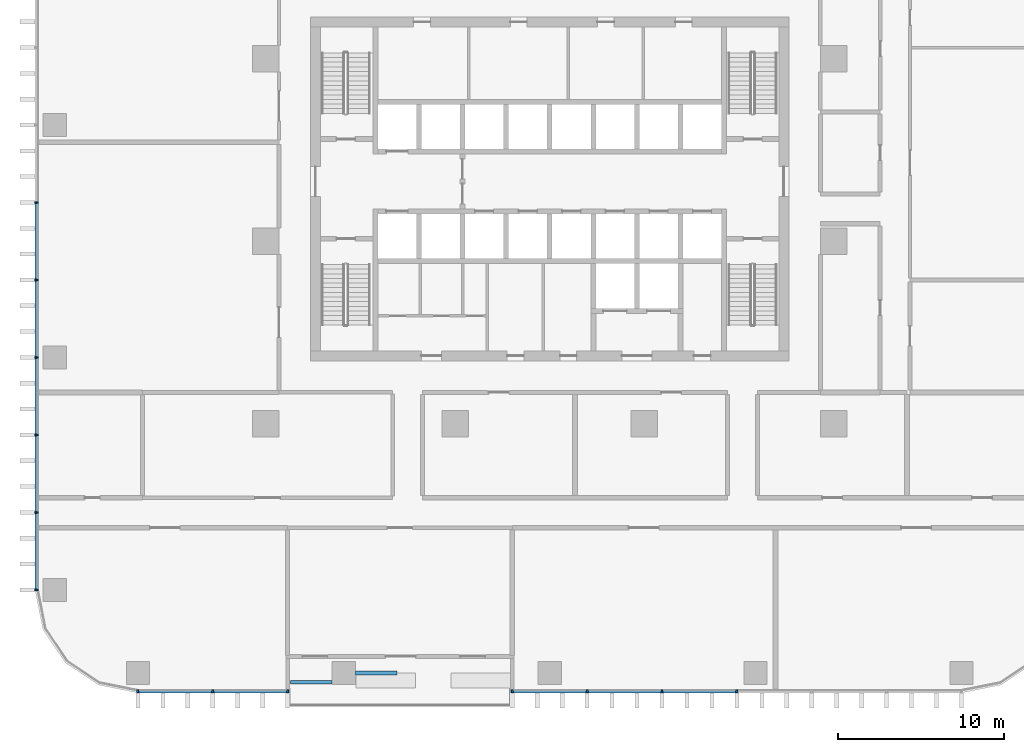
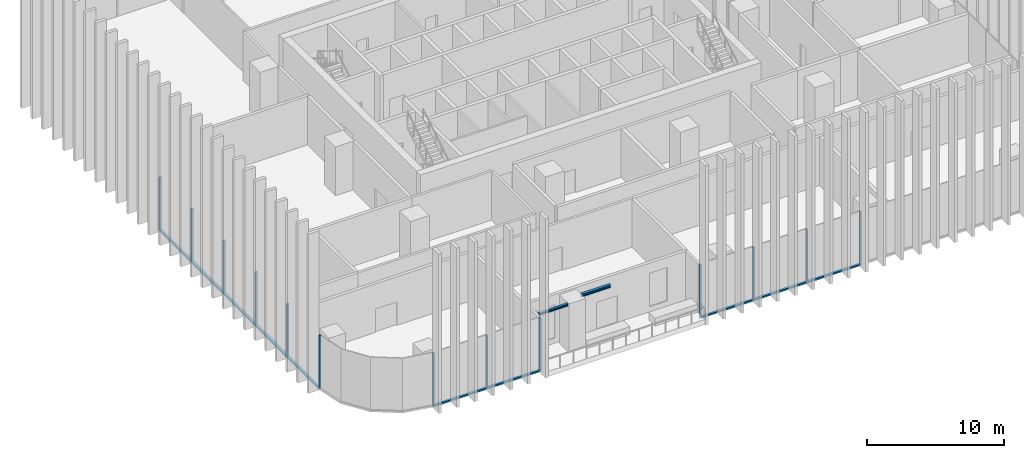
# One storey, part 2 of 17: 23 members, 2 beams, 3 elements without a shape of their own.
"""IFC4 building model written with IfcOpenShell, lengths in metres."""

from ifc_helpers import new_model, si_unit, direction, frame, origin, origin_2d, place, context, subcontext, project, spatial, rectangle, i_section, extrude, material, material_profile, profile_set, type_object, element, aggregate, save


model = new_model("IFC4")

# Units and contexts
model_context = context("Model", 3, precision=1e-05, world=origin(), true_north=direction((0.0, 1.0)))
body_context = subcontext(model_context, "Body", "Model", "MODEL_VIEW")
ifc_project = project(units=[si_unit("LENGTHUNIT", "METRE"), si_unit("AREAUNIT", "SQUARE_METRE"), si_unit("VOLUMEUNIT", "CUBIC_METRE"), si_unit("PLANEANGLEUNIT", "RADIAN"), si_unit("MASSUNIT", "GRAM", prefix="KILO")], contexts=[model_context])

# Site, building, storey
site_placement = place(None, origin())
site = spatial("IfcSite", under=ifc_project, at=site_placement, CompositionType="ELEMENT")
building_placement = place(site_placement, origin())
building = spatial("IfcBuilding", under=site, at=building_placement, Name="Mopane Tessera Tower", CompositionType="ELEMENT")
storey_placement = place(building_placement, frame((0.0, 0.0, 74.199951171875)))
storey = spatial("IfcBuildingStorey", under=building, at=storey_placement, Name="L14", CompositionType="ELEMENT", Elevation=74.199951171875)

# Curtain wall, members
ifc_material_1 = material(Name="Aluminium frame", Category="aluminium")
curtain_wall_type = type_object("IfcCurtainWallType", Name="Lower tower unitised wall", PredefinedType="NOTDEFINED", material=ifc_material_1)
curtain_wall_1_placement = place(storey_placement, origin())
curtain_wall_1 = element("IfcCurtainWall", 1, at=curtain_wall_1_placement, inside=storey, type_object=curtain_wall_type, Name="e:cw:L14:S:0", PredefinedType="NOTDEFINED")
ifc_material_2 = material(Name="Aluminium frame", Category="aluminium")
ifc_material_profile_1 = material_profile(ifc_material_2, rectangle(XDim=0.110107421875, YDim=0.199951171875, at=origin_2d()))
ifc_profile_set_1 = profile_set([ifc_material_profile_1], Name="Aluminium frame")
member_type_1 = type_object("IfcMemberType", Name="Aluminium mullion 110 x 200", PredefinedType="MULLION", material=ifc_profile_set_1)
member_1_placement = place(storey_placement, frame((-24.800048828125, -27.10009765625, -0.449951171875), z_axis=(0.0, 0.0, 1.0), x_axis=(1.0, 0.0, 0.0)))
member_1 = element("IfcMember", 2, at=member_1_placement, type_object=member_type_1, Name="e:cw:L14:S:0:mu0", PredefinedType="MULLION", context=body_context, shape_type="SweptSolid", body=[
    extrude(rectangle(XDim=0.110107421875, YDim=0.199951171875, at=origin_2d()), origin(), (0.0, 0.0, 1.0), 4.800048828125),
])
member_2_placement = place(storey_placement, frame((-20.291015625, -27.10009765625, -0.449951171875), z_axis=(0.0, 0.0, 1.0), x_axis=(1.0, 0.0, 0.0)))
member_2 = element("IfcMember", 3, at=member_2_placement, type_object=member_type_1, Name="e:cw:L14:S:0:mu1", PredefinedType="MULLION", context=body_context, shape_type="SweptSolid", body=[
    extrude(rectangle(XDim=0.110107421875, YDim=0.199951171875, at=origin_2d()), origin(), (0.0, 0.0, 1.0), 4.800048828125),
])
member_3_placement = place(storey_placement, frame((-15.78173828125, -27.10009765625, -0.449951171875), z_axis=(0.0, 0.0, 1.0), x_axis=(1.0, 0.0, 0.0)))
member_3 = element("IfcMember", 4, at=member_3_placement, type_object=member_type_1, Name="e:cw:L14:S:0:mu2", PredefinedType="MULLION", context=body_context, shape_type="SweptSolid", body=[
    extrude(rectangle(XDim=0.110107421875, YDim=0.199951171875, at=origin_2d()), origin(), (0.0, 0.0, 1.0), 4.800048828125),
])

curtain_wall_2_placement = place(storey_placement, origin())
curtain_wall_2 = element("IfcCurtainWall", 5, at=curtain_wall_2_placement, inside=storey, type_object=curtain_wall_type, Name="e:cw:L14:S:5", PredefinedType="NOTDEFINED")
member_4_placement = place(storey_placement, frame((-2.254638671875, -27.10009765625, -0.449951171875), z_axis=(0.0, 0.0, 1.0), x_axis=(1.0, 0.0, 0.0)))
member_4 = element("IfcMember", 6, at=member_4_placement, type_object=member_type_1, Name="e:cw:L14:S:5:mu5", PredefinedType="MULLION", context=body_context, shape_type="SweptSolid", body=[
    extrude(rectangle(XDim=0.110107421875, YDim=0.199951171875, at=origin_2d()), origin(), (0.0, 0.0, 1.0), 4.800048828125),
])
member_5_placement = place(storey_placement, frame((2.254638671875, -27.10009765625, -0.449951171875), z_axis=(0.0, 0.0, 1.0), x_axis=(1.0, 0.0, 0.0)))
member_5 = element("IfcMember", 7, at=member_5_placement, type_object=member_type_1, Name="e:cw:L14:S:5:mu6", PredefinedType="MULLION", context=body_context, shape_type="SweptSolid", body=[
    extrude(rectangle(XDim=0.110107421875, YDim=0.199951171875, at=origin_2d()), origin(), (0.0, 0.0, 1.0), 4.800048828125),
])
member_6_placement = place(storey_placement, frame((6.763671875, -27.10009765625, -0.449951171875), z_axis=(0.0, 0.0, 1.0), x_axis=(1.0, 0.0, 0.0)))
member_6 = element("IfcMember", 8, at=member_6_placement, type_object=member_type_1, Name="e:cw:L14:S:5:mu7", PredefinedType="MULLION", context=body_context, shape_type="SweptSolid", body=[
    extrude(rectangle(XDim=0.110107421875, YDim=0.199951171875, at=origin_2d()), origin(), (0.0, 0.0, 1.0), 4.800048828125),
])
member_7_placement = place(storey_placement, frame((11.272705078125, -27.10009765625, -0.449951171875), z_axis=(0.0, 0.0, 1.0), x_axis=(1.0, 0.0, 0.0)))
member_7 = element("IfcMember", 9, at=member_7_placement, type_object=member_type_1, Name="e:cw:L14:S:5:mu8", PredefinedType="MULLION", context=body_context, shape_type="SweptSolid", body=[
    extrude(rectangle(XDim=0.110107421875, YDim=0.199951171875, at=origin_2d()), origin(), (0.0, 0.0, 1.0), 4.800048828125),
])

curtain_wall_3_placement = place(storey_placement, origin())
curtain_wall_3 = element("IfcCurtainWall", 10, at=curtain_wall_3_placement, inside=storey, type_object=curtain_wall_type, Name="e:cw:L14:W:0", PredefinedType="NOTDEFINED")
member_8_placement = place(storey_placement, frame((-30.89990234375, 2.333251953125, -0.449951171875), z_axis=(0.0, 0.0, 1.0), x_axis=(0.0, -1.0, 0.0)))
member_8 = element("IfcMember", 11, at=member_8_placement, type_object=member_type_1, Name="e:cw:L14:W:0:mu4", PredefinedType="MULLION", context=body_context, shape_type="SweptSolid", body=[
    extrude(rectangle(XDim=0.110107421875, YDim=0.199951171875, at=origin_2d()), origin(), (0.0, 0.0, 1.0), 4.800048828125),
])
member_9_placement = place(storey_placement, frame((-30.89990234375, -2.333251953125, -0.449951171875), z_axis=(0.0, 0.0, 1.0), x_axis=(0.0, -1.0, 0.0)))
member_9 = element("IfcMember", 12, at=member_9_placement, type_object=member_type_1, Name="e:cw:L14:W:0:mu5", PredefinedType="MULLION", context=body_context, shape_type="SweptSolid", body=[
    extrude(rectangle(XDim=0.110107421875, YDim=0.199951171875, at=origin_2d()), origin(), (0.0, 0.0, 1.0), 4.800048828125),
])
member_10_placement = place(storey_placement, frame((-30.89990234375, -7.0, -0.449951171875), z_axis=(0.0, 0.0, 1.0), x_axis=(0.0, -1.0, 0.0)))
member_10 = element("IfcMember", 13, at=member_10_placement, type_object=member_type_1, Name="e:cw:L14:W:0:mu6", PredefinedType="MULLION", context=body_context, shape_type="SweptSolid", body=[
    extrude(rectangle(XDim=0.110107421875, YDim=0.199951171875, at=origin_2d()), origin(), (0.0, 0.0, 1.0), 4.800048828125),
])
member_11_placement = place(storey_placement, frame((-30.89990234375, -11.666748046875, -0.449951171875), z_axis=(0.0, 0.0, 1.0), x_axis=(0.0, -1.0, 0.0)))
member_11 = element("IfcMember", 14, at=member_11_placement, type_object=member_type_1, Name="e:cw:L14:W:0:mu7", PredefinedType="MULLION", context=body_context, shape_type="SweptSolid", body=[
    extrude(rectangle(XDim=0.110107421875, YDim=0.199951171875, at=origin_2d()), origin(), (0.0, 0.0, 1.0), 4.800048828125),
])
member_12_placement = place(storey_placement, frame((-30.89990234375, -16.333251953125, -0.449951171875), z_axis=(0.0, 0.0, 1.0), x_axis=(0.0, -1.0, 0.0)))
member_12 = element("IfcMember", 15, at=member_12_placement, type_object=member_type_1, Name="e:cw:L14:W:0:mu8", PredefinedType="MULLION", context=body_context, shape_type="SweptSolid", body=[
    extrude(rectangle(XDim=0.110107421875, YDim=0.199951171875, at=origin_2d()), origin(), (0.0, 0.0, 1.0), 4.800048828125),
])
member_13_placement = place(storey_placement, frame((-30.89990234375, -21.0, -0.449951171875), z_axis=(0.0, 0.0, 1.0), x_axis=(0.0, -1.0, 0.0)))
member_13 = element("IfcMember", 16, at=member_13_placement, type_object=member_type_1, Name="e:cw:L14:W:0:mu9", PredefinedType="MULLION", context=body_context, shape_type="SweptSolid", body=[
    extrude(rectangle(XDim=0.110107421875, YDim=0.199951171875, at=origin_2d()), origin(), (0.0, 0.0, 1.0), 4.800048828125),
])

# Member
ifc_material_3 = material(Name="Aluminium frame", Category="aluminium")
ifc_material_profile_2 = material_profile(ifc_material_3, rectangle(XDim=0.199951171875, YDim=0.139892578125, at=origin_2d()))
ifc_profile_set_2 = profile_set([ifc_material_profile_2], Name="Aluminium frame")
member_type_2 = type_object("IfcMemberType", Name="Aluminium transom 200 x 140", PredefinedType="USERDEFINED", material=ifc_profile_set_2)
member_14_placement = place(storey_placement, frame((-24.7451171875, -27.10009765625, -0.3798828125), z_axis=(1.0, 0.0, 0.0), x_axis=(0.0, 1.0, 0.0)))
member_14 = element("IfcMember", 17, at=member_14_placement, type_object=member_type_2, Name="e:cw:L14:S:0:tr0", ObjectType="TRANSOM", PredefinedType="USERDEFINED", context=body_context, shape_type="SweptSolid", body=[
    extrude(rectangle(XDim=0.199951171875, YDim=0.139892578125, at=origin_2d()), origin(), (0.0, 0.0, 1.0), 4.399169921875),
])

member_15_placement = place(storey_placement, frame((-20.23583984375, -27.10009765625, -0.3798828125), z_axis=(1.0, 0.0, 0.0), x_axis=(0.0, 1.0, 0.0)))
member_15 = element("IfcMember", 18, at=member_15_placement, type_object=member_type_2, Name="e:cw:L14:S:0:tr1", ObjectType="TRANSOM", PredefinedType="USERDEFINED", context=body_context, shape_type="SweptSolid", body=[
    extrude(rectangle(XDim=0.199951171875, YDim=0.139892578125, at=origin_2d()), origin(), (0.0, 0.0, 1.0), 4.39892578125),
])

aggregate(curtain_wall_1, [member_1, member_2, member_3, member_14, member_15])

member_16_placement = place(storey_placement, frame((-2.199462890625, -27.10009765625, -0.3798828125), z_axis=(1.0, 0.0, 0.0), x_axis=(0.0, 1.0, 0.0)))
member_16 = element("IfcMember", 19, at=member_16_placement, type_object=member_type_2, Name="e:cw:L14:S:5:tr5", ObjectType="TRANSOM", PredefinedType="USERDEFINED", context=body_context, shape_type="SweptSolid", body=[
    extrude(rectangle(XDim=0.199951171875, YDim=0.139892578125, at=origin_2d()), origin(), (0.0, 0.0, 1.0), 4.39892578125),
])

member_17_placement = place(storey_placement, frame((2.3095703125, -27.10009765625, -0.3798828125), z_axis=(1.0, 0.0, 0.0), x_axis=(0.0, 1.0, 0.0)))
member_17 = element("IfcMember", 20, at=member_17_placement, type_object=member_type_2, Name="e:cw:L14:S:5:tr6", ObjectType="TRANSOM", PredefinedType="USERDEFINED", context=body_context, shape_type="SweptSolid", body=[
    extrude(rectangle(XDim=0.199951171875, YDim=0.139892578125, at=origin_2d()), origin(), (0.0, 0.0, 1.0), 4.399169921875),
])

member_18_placement = place(storey_placement, frame((6.818603515625, -27.10009765625, -0.3798828125), z_axis=(1.0, 0.0, 0.0), x_axis=(0.0, 1.0, 0.0)))
member_18 = element("IfcMember", 21, at=member_18_placement, type_object=member_type_2, Name="e:cw:L14:S:5:tr7", ObjectType="TRANSOM", PredefinedType="USERDEFINED", context=body_context, shape_type="SweptSolid", body=[
    extrude(rectangle(XDim=0.199951171875, YDim=0.139892578125, at=origin_2d()), origin(), (0.0, 0.0, 1.0), 4.399169921875),
])

aggregate(curtain_wall_2, [member_4, member_5, member_6, member_7, member_16, member_17, member_18])

member_19_placement = place(storey_placement, frame((-30.89990234375, 2.2783203125, -0.3798828125), z_axis=(0.0, -1.0, 0.0), x_axis=(1.0, 0.0, 0.0)))
member_19 = element("IfcMember", 22, at=member_19_placement, type_object=member_type_2, Name="e:cw:L14:W:0:tr4", ObjectType="TRANSOM", PredefinedType="USERDEFINED", context=body_context, shape_type="SweptSolid", body=[
    extrude(rectangle(XDim=0.199951171875, YDim=0.139892578125, at=origin_2d()), origin(), (0.0, 0.0, 1.0), 4.556640625),
])

member_20_placement = place(storey_placement, frame((-30.89990234375, -2.388427734375, -0.3798828125), z_axis=(0.0, -1.0, 0.0), x_axis=(1.0, 0.0, 0.0)))
member_20 = element("IfcMember", 23, at=member_20_placement, type_object=member_type_2, Name="e:cw:L14:W:0:tr5", ObjectType="TRANSOM", PredefinedType="USERDEFINED", context=body_context, shape_type="SweptSolid", body=[
    extrude(rectangle(XDim=0.199951171875, YDim=0.139892578125, at=origin_2d()), origin(), (0.0, 0.0, 1.0), 4.556640625),
])

member_21_placement = place(storey_placement, frame((-30.89990234375, -7.054931640625, -0.3798828125), z_axis=(0.0, -1.0, 0.0), x_axis=(1.0, 0.0, 0.0)))
member_21 = element("IfcMember", 24, at=member_21_placement, type_object=member_type_2, Name="e:cw:L14:W:0:tr6", ObjectType="TRANSOM", PredefinedType="USERDEFINED", context=body_context, shape_type="SweptSolid", body=[
    extrude(rectangle(XDim=0.199951171875, YDim=0.139892578125, at=origin_2d()), origin(), (0.0, 0.0, 1.0), 4.556640625),
])

member_22_placement = place(storey_placement, frame((-30.89990234375, -11.7216796875, -0.3798828125), z_axis=(0.0, -1.0, 0.0), x_axis=(1.0, 0.0, 0.0)))
member_22 = element("IfcMember", 25, at=member_22_placement, type_object=member_type_2, Name="e:cw:L14:W:0:tr7", ObjectType="TRANSOM", PredefinedType="USERDEFINED", context=body_context, shape_type="SweptSolid", body=[
    extrude(rectangle(XDim=0.199951171875, YDim=0.139892578125, at=origin_2d()), origin(), (0.0, 0.0, 1.0), 4.556640625),
])

member_23_placement = place(storey_placement, frame((-30.89990234375, -16.388427734375, -0.3798828125), z_axis=(0.0, -1.0, 0.0), x_axis=(1.0, 0.0, 0.0)))
member_23 = element("IfcMember", 26, at=member_23_placement, type_object=member_type_2, Name="e:cw:L14:W:0:tr8", ObjectType="TRANSOM", PredefinedType="USERDEFINED", context=body_context, shape_type="SweptSolid", body=[
    extrude(rectangle(XDim=0.199951171875, YDim=0.139892578125, at=origin_2d()), origin(), (0.0, 0.0, 1.0), 4.556640625),
])

aggregate(curtain_wall_3, [member_8, member_9, member_10, member_11, member_12, member_13, member_19, member_20, member_21, member_22, member_23])

# Beams
ifc_material_4 = material(Name="Structural steel S460", Category="steel")
ifc_material_profile_3 = material_profile(ifc_material_4, i_section(OverallWidth=0.239990234375, OverallDepth=0.239990234375, WebThickness=0.010009765625, FlangeThickness=0.01708984375, FilletRadius=0.02099609375, at=origin_2d()))
ifc_profile_set_3 = profile_set([ifc_material_profile_3], Name="Structural steel S460")
beam_type_1 = type_object("IfcBeamType", Name="Terrace spandrel beam HE 240 B", PredefinedType="SPANDREL", material=ifc_profile_set_3)
beam_1_placement = place(storey_placement, frame((-11.697021484375, -26.0, 4.22998046875), z_axis=(1.0, 0.0, 0.0), x_axis=(0.0, 1.0, 0.0)))
element("IfcBeam", 27, at=beam_1_placement, inside=storey, type_object=beam_type_1, Name="Terrace spandrel beam N3 L15", PredefinedType="SPANDREL", context=body_context, shape_type="SweptSolid", body=[
    extrude(i_section(OverallWidth=0.239990234375, OverallDepth=0.239990234375, WebThickness=0.010009765625, FlangeThickness=0.01708984375, FilletRadius=0.02099609375, at=origin_2d()), origin(), (0.0, 0.0, 1.0), 2.5),
])
ifc_material_5 = material(Name="Structural steel S460", Category="steel")
ifc_material_profile_4 = material_profile(ifc_material_5, i_section(OverallWidth=0.199951171875, OverallDepth=0.199951171875, WebThickness=0.009033203125, FlangeThickness=0.014892578125, FilletRadius=0.01806640625, at=origin_2d()))
ifc_profile_set_4 = profile_set([ifc_material_profile_4], Name="Structural steel S460")
beam_type_2 = type_object("IfcBeamType", Name="Terrace trimmer beam HE 200 B", PredefinedType="BEAM", material=ifc_profile_set_4)
beam_2_placement = place(storey_placement, frame((-13.102783203125, -26.56005859375, 4.25), z_axis=(-1.0, 0.0, 0.0), x_axis=(0.0, -1.0, 0.0)))
element("IfcBeam", 28, at=beam_2_placement, inside=storey, type_object=beam_type_2, Name="Terrace trimmer beam N3 L15", PredefinedType="BEAM", context=body_context, shape_type="SweptSolid", body=[
    extrude(i_section(OverallWidth=0.199951171875, OverallDepth=0.199951171875, WebThickness=0.009033203125, FlangeThickness=0.014892578125, FilletRadius=0.01806640625, at=origin_2d()), origin(), (0.0, 0.0, 1.0), 2.5),
])

save(model, "model.ifc")
